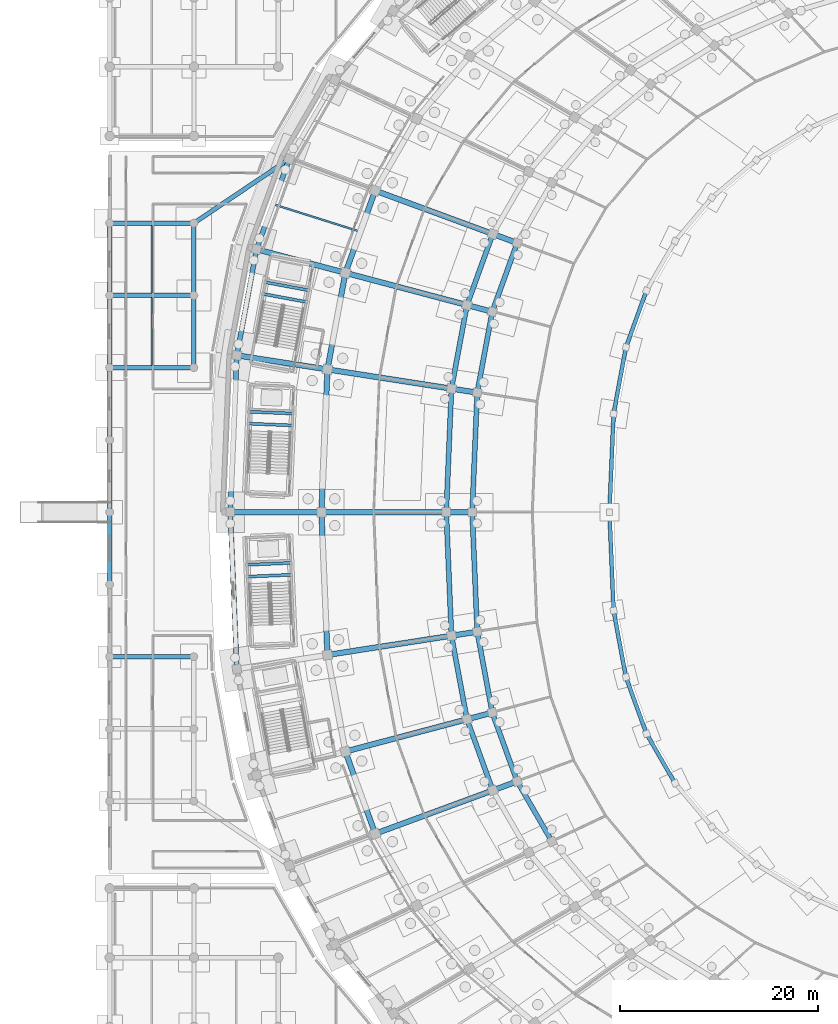
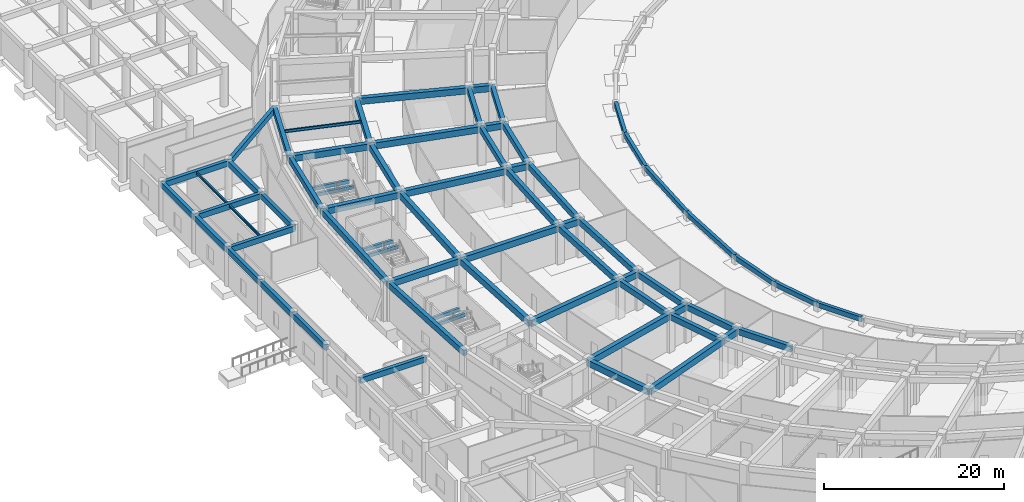
# One storey, part 28 of 88: 67 beams.
"""IFC4 building model written with IfcOpenShell, lengths in metres."""

import ifcopenshell
import ifcopenshell.guid

model = None  # the IFC model being written
_history = None  # IfcOwnerHistory: only IFC2X3 demands one
_inside = {}  # id of a spatial element -> (the spatial element, [elements in it])
_under = {}  # id of a project, library or spatial element -> (it, [spatial elements below it])
_declared = {}  # id of a project -> (the project, [libraries it declares])
_typed = {}  # id of a type object -> (the type object, [elements of that type])
_made_of = {}  # id of a material, layer set ... -> (it, [elements and type objects made of it])


def new_model(schema):
    """Start an empty IFC model of exactly this schema.

    Asked for "IFC4X3", IfcOpenShell would pick the latest addendum, in which some entities
    have other attributes; the version numbers below select the first issue.
    IFC2X3 requires an IfcOwnerHistory on every rooted entity: one is made here for all.
    """
    global model, _history
    if schema == "IFC4X3":
        model = ifcopenshell.file(schema_version=(4, 3, 0, 0))
    else:
        model = ifcopenshell.file(schema=schema)
    _inside.clear()
    _under.clear()
    _declared.clear()
    _typed.clear()
    _made_of.clear()
    _history = None
    if model.schema == "IFC2X3":
        org = make("IfcOrganization", Name="unknown")
        user = make(
            "IfcPersonAndOrganization",
            ThePerson=make("IfcPerson", FamilyName="unknown"),
            TheOrganization=org,
        )
        app = make(
            "IfcApplication",
            ApplicationDeveloper=org,
            Version="unknown",
            ApplicationFullName="unknown",
            ApplicationIdentifier="unknown",
        )
        _history = make(
            "IfcOwnerHistory",
            OwningUser=user,
            OwningApplication=app,
            ChangeAction="ADDED",
            CreationDate=0,
        )
    return model


def make(cls, **values):
    """One entity of the class cls with the attributes given. An attribute that is None is left unset."""
    return model.create_entity(
        cls, **{name: value for name, value in values.items() if value is not None}
    )


def rooted(cls, **values):
    """An entity with a GlobalId (a new one), such as an element, a storey or a relation."""
    return make(cls, GlobalId=ifcopenshell.guid.new(), OwnerHistory=_history, **values)


def si_unit(unit_type, name, prefix=None):
    """IfcSIUnit, for example si_unit("LENGTHUNIT", "METRE", prefix="MILLI")."""
    return make("IfcSIUnit", UnitType=unit_type, Prefix=prefix, Name=name)


def assignment(units):
    """IfcUnitAssignment: the units of a project."""
    return None if units is None else make("IfcUnitAssignment", Units=units)


def point(xyz):
    """IfcCartesianPoint."""
    return None if xyz is None else make("IfcCartesianPoint", Coordinates=xyz)


def direction(xyz):
    """IfcDirection."""
    return None if xyz is None else make("IfcDirection", DirectionRatios=xyz)


def frame(location, z_axis=None, x_axis=None):
    """IfcAxis2Placement3D, a coordinate frame: its origin and axes. An axis left out is left unset."""
    return make(
        "IfcAxis2Placement3D",
        Location=point(location),
        Axis=direction(z_axis),
        RefDirection=direction(x_axis),
    )


def frame_2d(location, x_axis=None):
    """IfcAxis2Placement2D, a coordinate frame in the plane: its origin and x axis."""
    return make(
        "IfcAxis2Placement2D", Location=point(location), RefDirection=direction(x_axis)
    )


def origin():
    """The frame at (0, 0, 0) with its axes left unset."""
    return frame((0.0, 0.0, 0.0))


def origin_2d():
    """The frame at (0, 0) in the plane with its x axis left unset."""
    return frame_2d((0.0, 0.0))


def place(relative_to, where):
    """IfcLocalPlacement: puts the frame where relative to a parent placement (None: the world)."""
    return make(
        "IfcLocalPlacement", PlacementRelTo=relative_to, RelativePlacement=where
    )


def context(
    kind, dimensions, precision=None, world=None, true_north=None, identifier=None
):
    """IfcGeometricRepresentationContext, for example the 3D "Model" context."""
    return make(
        "IfcGeometricRepresentationContext",
        ContextIdentifier=identifier,
        ContextType=kind,
        CoordinateSpaceDimension=dimensions,
        Precision=precision,
        WorldCoordinateSystem=world,
        TrueNorth=true_north,
    )


def subcontext(parent, identifier, kind, view, scale=None):
    """IfcGeometricRepresentationSubContext, for example "Body" below "Model"."""
    return make(
        "IfcGeometricRepresentationSubContext",
        ContextIdentifier=identifier,
        ContextType=kind,
        ParentContext=parent,
        TargetScale=scale,
        TargetView=view,
    )


def project(units=None, contexts=None):
    """IfcProject with its units and contexts."""
    return rooted(
        "IfcProject",
        Name="project",
        RepresentationContexts=contexts,
        UnitsInContext=assignment(units),
    )


def spatial(cls, under=None, at=None, **own):
    """A site, building, storey or space (cls), placed at a placement, below another one or the project."""
    s = rooted(cls, ObjectPlacement=at, **own)
    if under is not None:
        _under.setdefault(under.id(), (under, []))[1].append(s)
    return s


def profile(cls, at=None, kind="AREA", **sizes):
    """A parametric profile (cls). Its sizes go by their IFC names, for example OverallWidth=200.0."""
    return make(cls, ProfileType=kind, Position=at, **sizes)


def rectangle(**sizes):
    """IfcRectangleProfileDef."""
    return profile("IfcRectangleProfileDef", **sizes)


def i_section(**sizes):
    """IfcIShapeProfileDef."""
    return profile("IfcIShapeProfileDef", **sizes)


def extrude(swept, where, along, depth):
    """IfcExtrudedAreaSolid: the profile swept, set in the frame where, extruded along a direction by depth."""
    return make(
        "IfcExtrudedAreaSolid",
        SweptArea=swept,
        Position=where,
        ExtrudedDirection=direction(along),
        Depth=depth,
    )


def shape(context_of_items, identifier, shape_type, items):
    """IfcShapeRepresentation: the items that make up one representation, for example the "Body"."""
    return make(
        "IfcShapeRepresentation",
        ContextOfItems=context_of_items,
        RepresentationIdentifier=identifier,
        RepresentationType=shape_type,
        Items=items,
    )


def material(Name=None, Category=None):
    """IfcMaterial."""
    return make("IfcMaterial", Name=Name, Category=Category)


def material_profile(
    of_material, cross_section, Name=None, Category=None, Priority=None
):
    """IfcMaterialProfile: a cross section and its material."""
    return make(
        "IfcMaterialProfile",
        Name=Name,
        Material=of_material,
        Profile=cross_section,
        Priority=Priority,
        Category=Category,
    )


def profile_set(profiles, Name=None, composite=None):
    """IfcMaterialProfileSet."""
    return make(
        "IfcMaterialProfileSet",
        Name=Name,
        MaterialProfiles=profiles,
        CompositeProfile=composite,
    )


def made_of(thing, what):
    """Note that an element or type object is made of a material, layer set ...; save() writes the relation."""
    if what is not None:
        _made_of.setdefault(what.id(), (what, []))[1].append(thing)
    return thing


def type_object(cls, material=None, **own):
    """A type object (cls), such as IfcWallType, which elements share."""
    return made_of(rooted(cls, **own), material)


def element(
    cls,
    number,
    at=None,
    inside=None,
    cuts=None,
    type_object=None,
    material=None,
    context=None,
    identifier="Body",
    shape_type=None,
    held_by="IfcProductDefinitionShape",
    body=None,
    shapes=None,
    **own,
):
    """One element of the class cls, such as IfcWall. Its Tag is "e" and its number.

    at: its placement. inside: the storey or other place that contains it. cuts: it is an
    opening in that element (IfcRelVoidsElement). A single representation is given by context,
    identifier, shape_type and body (its items); several are given by shapes. held_by: the class
    of the entity that holds the representations. save() writes the other relations.
    """
    e = rooted(cls, Tag="e%d" % number, ObjectPlacement=at, **own)
    if body is not None:
        shapes = [shape(context, identifier, shape_type, body)]
    if shapes is not None:
        e.Representation = make(held_by, Representations=shapes)
    if inside is not None:
        _inside.setdefault(inside.id(), (inside, []))[1].append(e)
    if cuts is not None:
        rooted(
            "IfcRelVoidsElement", RelatingBuildingElement=cuts, RelatedOpeningElement=e
        )
    if type_object is not None:
        _typed.setdefault(type_object.id(), (type_object, []))[1].append(e)
    return made_of(e, material)


def aggregate(whole, parts):
    """IfcRelAggregates: a whole, such as a stair, and the parts it consists of."""
    return rooted("IfcRelAggregates", RelatingObject=whole, RelatedObjects=parts)


def save(model, path):
    """Write the relations noted so far, then the file.

    IfcRelAggregates (storeys below a building ...), IfcRelContainedInSpatialStructure (elements
    in a storey), IfcRelDefinesByType, IfcRelAssociatesMaterial and IfcRelDeclares: one each for
    every whole, place, type object, material and project.
    """
    for whole, parts in _under.values():
        aggregate(whole, parts)
    for where, things in _inside.values():
        rooted(
            "IfcRelContainedInSpatialStructure",
            RelatedElements=things,
            RelatingStructure=where,
        )
    for kind, things in _typed.values():
        rooted("IfcRelDefinesByType", RelatedObjects=things, RelatingType=kind)
    for what, things in _made_of.values():
        rooted("IfcRelAssociatesMaterial", RelatedObjects=things, RelatingMaterial=what)
    for by, libraries in _declared.values():
        rooted("IfcRelDeclares", RelatingContext=by, RelatedDefinitions=libraries)
    model.write(path)


model = new_model("IFC4")

# Units and contexts
model_context = context("Model", 3, precision=1e-05, world=origin(), true_north=direction((0.0, 1.0)))
body_context = subcontext(model_context, "Body", "Model", "MODEL_VIEW")
ifc_project = project(units=[si_unit("LENGTHUNIT", "METRE"), si_unit("AREAUNIT", "SQUARE_METRE"), si_unit("VOLUMEUNIT", "CUBIC_METRE"), si_unit("PLANEANGLEUNIT", "RADIAN"), si_unit("MASSUNIT", "GRAM", prefix="KILO")], contexts=[model_context])

# Site, building, storey
site_placement = place(None, origin())
site = spatial("IfcSite", under=ifc_project, at=site_placement, CompositionType="ELEMENT")
building_placement = place(site_placement, origin())
building = spatial("IfcBuilding", under=site, at=building_placement, Name="Mphavela Belvedere Stadium", CompositionType="ELEMENT")
storey_placement = place(building_placement, origin())
storey = spatial("IfcBuildingStorey", under=building, at=storey_placement, Name="L00", CompositionType="ELEMENT", Elevation=0.0)

# Beams
ifc_material_1 = material(Name="Steel S355", Category="steel")
ifc_material_profile_1 = material_profile(ifc_material_1, i_section(OverallWidth=0.169921875, OverallDepth=0.360107421875, WebThickness=0.008056640625, FlangeThickness=0.0126953125, at=origin_2d()), Name="IPE 360")
ifc_profile_set_1 = profile_set([ifc_material_profile_1], Name="Steel S355")
beam_type_1 = type_object("IfcBeamType", Name="BM-JOIST-IPE360", PredefinedType="JOIST", material=ifc_profile_set_1)
for number, where, z_axis, x_axis, name in (
    (1, (4.25, 101.824951171875, 4.9599609375), (0.0, 1.0, 0.0), (-1.0, 0.0, 0.0), "West Planted Eaves Peristyle Colonnade secondary joist L00 1-8"),
    (2, (4.25, 109.125, 4.9599609375), (0.0, 1.0, 0.0), (-1.0, 0.0, 0.0), "West Planted Eaves Peristyle Colonnade secondary joist L00 1-9"),
):
    element("IfcBeam", number, at=place(storey_placement, frame(where, z_axis=z_axis, x_axis=x_axis)), inside=storey, type_object=beam_type_1, Name=name, PredefinedType="JOIST", context=body_context, shape_type="SweptSolid", body=[
        extrude(i_section(OverallWidth=0.169921875, OverallDepth=0.360107421875, WebThickness=0.008056640625, FlangeThickness=0.0126953125, at=origin_2d()), origin(), (0.0, 0.0, 1.0), 6.85009765625),
    ])
ifc_material_2 = material(Name="Steel S355", Category="steel")
ifc_material_profile_2 = material_profile(ifc_material_2, i_section(OverallWidth=0.179931640625, OverallDepth=0.39990234375, WebThickness=0.008544921875, FlangeThickness=0.013427734375, at=origin_2d()), Name="IPE 400")
ifc_profile_set_2 = profile_set([ifc_material_profile_2], Name="Steel S355")
beam_type_2 = type_object("IfcBeamType", Name="BM-JOIST-IPE400", PredefinedType="JOIST", material=ifc_profile_set_2)
beam_1_placement = place(storey_placement, frame((25.318359375, 115.3330078125, 4.949951171875), z_axis=(-0.953544002003, 0.301253773826, 0.0), x_axis=(-0.301253773826, -0.953544002003, 0.0)))
element("IfcBeam", 3, at=beam_1_placement, inside=storey, type_object=beam_type_2, Name="Concourse floor joist L00-22", PredefinedType="JOIST", context=body_context, shape_type="SweptSolid", body=[
    extrude(i_section(OverallWidth=0.179931640625, OverallDepth=0.39990234375, WebThickness=0.008544921875, FlangeThickness=0.013427734375, at=origin_2d()), origin(), (0.0, 0.0, 1.0), 9.259033203125),
])
ifc_material_3 = material(Name="Concrete C40/50", Category="concrete")
ifc_material_profile_3 = material_profile(ifc_material_3, rectangle(XDim=0.300048828125, YDim=0.449951171875, at=origin_2d()), Name="RC 300x450")
ifc_profile_set_3 = profile_set([ifc_material_profile_3], Name="Concrete C40/50")
beam_type_3 = type_object("IfcBeamType", Name="BM-RC300x450", PredefinedType="BEAM", material=ifc_profile_set_3)
for number, where, z_axis, x_axis, name in (
    (4, (19.88623046875, 108.2353515625, 2.27490234375), (-0.9831891563, 0.182589931088, 0.0), (-0.182589931088, -0.9831891563, 0.0), "Core C06 landing trimmer beam L00-1"),
    (5, (20.105224609375, 109.415283203125, 2.27490234375), (-0.983198960132, 0.182537132646, 0.0), (-0.182537132646, -0.983198960132, 0.0), "Core C06 landing trimmer beam L00-2"),
    (6, (18.47021484375, 95.76318359375, 2.27490234375), (-0.999122153252, 0.04189179968, 0.0), (-0.04189179968, -0.999122153252, 0.0), "Core C07 landing trimmer beam L00-1"),
):
    element("IfcBeam", number, at=place(storey_placement, frame(where, z_axis=z_axis, x_axis=x_axis)), inside=storey, type_object=beam_type_3, Name=name, PredefinedType="BEAM", context=body_context, shape_type="SweptSolid", body=[
        extrude(rectangle(XDim=0.300048828125, YDim=0.449951171875, at=origin_2d()), origin(), (0.0, 0.0, 1.0), 4.469970703125),
    ])
beam_2_placement = place(storey_placement, frame((18.5205078125, 96.96240234375, 2.27490234375), z_axis=(-0.999124533389, 0.041834994675, 0.0), x_axis=(-0.041834994675, -0.999124533389, 0.0)))
element("IfcBeam", 7, at=beam_2_placement, inside=storey, type_object=beam_type_3, Name="Core C07 landing trimmer beam L00-2", PredefinedType="BEAM", context=body_context, shape_type="SweptSolid", body=[
    extrude(rectangle(XDim=0.300048828125, YDim=0.449951171875, at=origin_2d()), origin(), (0.0, 0.0, 1.0), 4.47021484375),
])
for number, where, z_axis, x_axis, name in (
    (8, (18.367919921875, 80.674560546875, 2.27490234375), (-0.999122153252, -0.04189179968, 0.0), (0.04189179968, -0.999122153252, 0.0), "Core C08 landing trimmer beam L00-1"),
    (9, (18.317626953125, 81.87353515625, 2.27490234375), (-0.999122153252, -0.04189179968, 0.0), (0.04189179968, -0.999122153252, 0.0), "Core C08 landing trimmer beam L00-2"),
):
    element("IfcBeam", number, at=place(storey_placement, frame(where, z_axis=z_axis, x_axis=x_axis)), inside=storey, type_object=beam_type_3, Name=name, PredefinedType="BEAM", context=body_context, shape_type="SweptSolid", body=[
        extrude(rectangle(XDim=0.300048828125, YDim=0.449951171875, at=origin_2d()), origin(), (0.0, 0.0, 1.0), 4.469970703125),
    ])
ifc_material_4 = material(Name="Concrete C40/50", Category="concrete")
ifc_material_profile_4 = material_profile(ifc_material_4, rectangle(XDim=0.39990234375, YDim=0.64990234375, at=origin_2d()), Name="RC 400x650")
ifc_profile_set_4 = profile_set([ifc_material_profile_4], Name="Concrete C40/50")
beam_type_4 = type_object("IfcBeamType", Name="BM-RC400x650", PredefinedType="BEAM", material=ifc_profile_set_4)
beam_3_placement = place(storey_placement, frame((54.236572265625, 109.385498046875, 0.824951171875), z_axis=(-0.341053704054, -0.940043813315, 0.0), x_axis=(0.940043813315, -0.341053704054, 0.0)))
element("IfcBeam", 10, at=beam_3_placement, inside=storey, type_object=beam_type_4, Name="Lower tier plinth ring beam 22", PredefinedType="BEAM", context=body_context, shape_type="SweptSolid", body=[
    extrude(rectangle(XDim=0.39990234375, YDim=0.64990234375, at=origin_2d()), origin(), (0.0, 0.0, 1.0), 6.086181640625),
])
beam_4_placement = place(storey_placement, frame((52.160888671875, 103.664306640625, 0.824951171875), z_axis=(-0.182635082941, -0.983180769991, 0.0), x_axis=(0.983180769991, -0.182635082941, 0.0)))
element("IfcBeam", 11, at=beam_4_placement, inside=storey, type_object=beam_type_4, Name="Lower tier plinth ring beam 23", PredefinedType="BEAM", context=body_context, shape_type="SweptSolid", body=[
    extrude(rectangle(XDim=0.39990234375, YDim=0.64990234375, at=origin_2d()), origin(), (0.0, 0.0, 1.0), 6.8388671875),
])
for number, where, z_axis, x_axis, name in (
    (12, (50.911865234375, 96.9404296875, 0.824951171875), (-0.041887754326, -0.99912232286, 0.0), (0.99912232286, -0.041887754326, 0.0), "Lower tier plinth ring beam 24"),
    (13, (50.4951171875, 87.0, 0.824951171875), (0.041887754326, -0.99912232286, 0.0), (0.99912232286, 0.041887754326, 0.0), "Lower tier plinth ring beam 25"),
):
    element("IfcBeam", number, at=place(storey_placement, frame(where, z_axis=z_axis, x_axis=x_axis)), inside=storey, type_object=beam_type_4, Name=name, PredefinedType="BEAM", context=body_context, shape_type="SweptSolid", body=[
        extrude(rectangle(XDim=0.39990234375, YDim=0.64990234375, at=origin_2d()), origin(), (0.0, 0.0, 1.0), 9.94921875),
    ])
beam_5_placement = place(storey_placement, frame((50.911865234375, 77.0595703125, 0.824951171875), z_axis=(0.182635082941, -0.983180769991, 0.0), x_axis=(0.983180769991, 0.182635082941, 0.0)))
element("IfcBeam", 14, at=beam_5_placement, inside=storey, type_object=beam_type_4, Name="Lower tier plinth ring beam 26", PredefinedType="BEAM", context=body_context, shape_type="SweptSolid", body=[
    extrude(rectangle(XDim=0.39990234375, YDim=0.64990234375, at=origin_2d()), origin(), (0.0, 0.0, 1.0), 6.8388671875),
])
beam_6_placement = place(storey_placement, frame((52.160888671875, 70.335693359375, 0.824951171875), z_axis=(0.341053704054, -0.940043813315, 0.0), x_axis=(0.940043813315, 0.341053704054, 0.0)))
element("IfcBeam", 15, at=beam_6_placement, inside=storey, type_object=beam_type_4, Name="Lower tier plinth ring beam 27", PredefinedType="BEAM", context=body_context, shape_type="SweptSolid", body=[
    extrude(rectangle(XDim=0.39990234375, YDim=0.64990234375, at=origin_2d()), origin(), (0.0, 0.0, 1.0), 6.086181640625),
])
beam_7_placement = place(storey_placement, frame((54.236572265625, 64.614501953125, 0.824951171875), z_axis=(0.500538549493, -0.86571424874, 0.0), x_axis=(0.86571424874, 0.500538549493, 0.0)))
element("IfcBeam", 16, at=beam_7_placement, inside=storey, type_object=beam_type_4, Name="Lower tier plinth ring beam 28", PredefinedType="BEAM", context=body_context, shape_type="SweptSolid", body=[
    extrude(rectangle(XDim=0.39990234375, YDim=0.64990234375, at=origin_2d()), origin(), (0.0, 0.0, 1.0), 5.7822265625),
])
ifc_material_5 = material(Name="Concrete C40/50", Category="concrete")
ifc_material_profile_5 = material_profile(ifc_material_5, rectangle(XDim=0.449951171875, YDim=0.75, at=origin_2d()), Name="RC 450x750")
ifc_profile_set_5 = profile_set([ifc_material_profile_5], Name="Concrete C40/50")
beam_type_5 = type_object("IfcBeamType", Name="BM-RC450x750", PredefinedType="BEAM", material=ifc_profile_set_5)
beam_8_placement = place(storey_placement, frame((0.0, 72.39990234375, 4.764892578125), z_axis=(1.0, 0.0, 0.0), x_axis=(0.0, 1.0, 0.0)))
element("IfcBeam", 17, at=beam_8_placement, inside=storey, type_object=beam_type_5, Name="West Planted Eaves Peristyle Colonnade entablature beam X L00 1-4", PredefinedType="BEAM", context=body_context, shape_type="SweptSolid", body=[
    extrude(rectangle(XDim=0.449951171875, YDim=0.75, at=origin_2d()), origin(), (0.0, 0.0, 1.0), 8.5),
])
for number, where, z_axis, x_axis, name in (
    (18, (0.0, 79.699951171875, 4.764892578125), (0.0, 1.0, 0.0), (-1.0, 0.0, 0.0), "West Planted Eaves Peristyle Colonnade entablature beam Y L00 1-5"),
    (19, (0.0, 87.0, 4.764892578125), (0.0, 1.0, 0.0), (-1.0, 0.0, 0.0), "West Planted Eaves Peristyle Colonnade entablature beam Y L00 1-6"),
    (20, (0.0, 94.300048828125, 4.764892578125), (0.0, 1.0, 0.0), (-1.0, 0.0, 0.0), "West Planted Eaves Peristyle Colonnade entablature beam Y L00 1-7"),
):
    element("IfcBeam", number, at=place(storey_placement, frame(where, z_axis=z_axis, x_axis=x_axis)), inside=storey, type_object=beam_type_5, Name=name, PredefinedType="BEAM", context=body_context, shape_type="SweptSolid", body=[
        extrude(rectangle(XDim=0.449951171875, YDim=0.75, at=origin_2d()), origin(), (0.0, 0.0, 1.0), 7.300048828125),
    ])
beam_9_placement = place(storey_placement, frame((0.0, 101.60009765625, 4.764892578125), z_axis=(1.0, 0.0, 0.0), x_axis=(0.0, 1.0, 0.0)))
element("IfcBeam", 21, at=beam_9_placement, inside=storey, type_object=beam_type_5, Name="West Planted Eaves Peristyle Colonnade entablature beam X L00 1-8", PredefinedType="BEAM", context=body_context, shape_type="SweptSolid", body=[
    extrude(rectangle(XDim=0.449951171875, YDim=0.75, at=origin_2d()), origin(), (0.0, 0.0, 1.0), 8.5),
])
beam_10_placement = place(storey_placement, frame((0.0, 101.60009765625, 4.764892578125), z_axis=(0.0, 1.0, 0.0), x_axis=(-1.0, 0.0, 0.0)))
element("IfcBeam", 22, at=beam_10_placement, inside=storey, type_object=beam_type_5, Name="West Planted Eaves Peristyle Colonnade entablature beam Y L00 1-8", PredefinedType="BEAM", context=body_context, shape_type="SweptSolid", body=[
    extrude(rectangle(XDim=0.449951171875, YDim=0.75, at=origin_2d()), origin(), (0.0, 0.0, 1.0), 7.2998046875),
])
beam_11_placement = place(storey_placement, frame((0.0, 108.89990234375, 4.764892578125), z_axis=(1.0, 0.0, 0.0), x_axis=(0.0, 1.0, 0.0)))
element("IfcBeam", 23, at=beam_11_placement, inside=storey, type_object=beam_type_5, Name="West Planted Eaves Peristyle Colonnade entablature beam X L00 1-9", PredefinedType="BEAM", context=body_context, shape_type="SweptSolid", body=[
    extrude(rectangle(XDim=0.449951171875, YDim=0.75, at=origin_2d()), origin(), (0.0, 0.0, 1.0), 8.5),
])
beam_12_placement = place(storey_placement, frame((0.0, 108.89990234375, 4.764892578125), z_axis=(0.0, 1.0, 0.0), x_axis=(-1.0, 0.0, 0.0)))
element("IfcBeam", 24, at=beam_12_placement, inside=storey, type_object=beam_type_5, Name="West Planted Eaves Peristyle Colonnade entablature beam Y L00 1-9", PredefinedType="BEAM", context=body_context, shape_type="SweptSolid", body=[
    extrude(rectangle(XDim=0.449951171875, YDim=0.75, at=origin_2d()), origin(), (0.0, 0.0, 1.0), 7.300048828125),
])
beam_13_placement = place(storey_placement, frame((0.0, 116.199951171875, 4.764892578125), z_axis=(1.0, 0.0, 0.0), x_axis=(0.0, 1.0, 0.0)))
element("IfcBeam", 25, at=beam_13_placement, inside=storey, type_object=beam_type_5, Name="West Planted Eaves Peristyle Colonnade entablature beam X L00 1-10", PredefinedType="BEAM", context=body_context, shape_type="SweptSolid", body=[
    extrude(rectangle(XDim=0.449951171875, YDim=0.75, at=origin_2d()), origin(), (0.0, 0.0, 1.0), 8.5),
])
beam_14_placement = place(storey_placement, frame((8.5, 101.60009765625, 4.764892578125), z_axis=(0.0, 1.0, 0.0), x_axis=(-1.0, 0.0, 0.0)))
element("IfcBeam", 26, at=beam_14_placement, inside=storey, type_object=beam_type_5, Name="West Planted Eaves Peristyle Colonnade entablature beam Y L00 2-8", PredefinedType="BEAM", context=body_context, shape_type="SweptSolid", body=[
    extrude(rectangle(XDim=0.449951171875, YDim=0.75, at=origin_2d()), origin(), (0.0, 0.0, 1.0), 7.2998046875),
])
beam_15_placement = place(storey_placement, frame((8.5, 108.89990234375, 4.764892578125), z_axis=(0.0, 1.0, 0.0), x_axis=(-1.0, 0.0, 0.0)))
element("IfcBeam", 27, at=beam_15_placement, inside=storey, type_object=beam_type_5, Name="West Planted Eaves Peristyle Colonnade entablature beam Y L00 2-9", PredefinedType="BEAM", context=body_context, shape_type="SweptSolid", body=[
    extrude(rectangle(XDim=0.449951171875, YDim=0.75, at=origin_2d()), origin(), (0.0, 0.0, 1.0), 7.300048828125),
])
beam_16_placement = place(storey_placement, frame((8.5, 116.199951171875, 4.764892578125), z_axis=(0.82993028647, 0.557867116436, 0.0), x_axis=(-0.557867116436, 0.82993028647, 0.0)))
element("IfcBeam", 28, at=beam_16_placement, inside=storey, type_object=beam_type_5, Name="West Planted Eaves Peristyle Colonnade bowl link girder L00-6", PredefinedType="BEAM", context=body_context, shape_type="SweptSolid", body=[
    extrude(rectangle(XDim=0.449951171875, YDim=0.75, at=origin_2d()), origin(), (0.0, 0.0, 1.0), 11.6201171875),
])
ifc_material_6 = material(Name="Concrete C40/50", Category="concrete")
ifc_material_profile_6 = material_profile(ifc_material_6, rectangle(XDim=0.5, YDim=0.800048828125, at=origin_2d()), Name="RC 500x800")
ifc_profile_set_6 = profile_set([ifc_material_profile_6], Name="Concrete C40/50")
beam_type_6 = type_object("IfcBeamType", Name="BM-RC500x800", PredefinedType="BEAM", material=ifc_profile_set_6)
beam_17_placement = place(storey_placement, frame((41.170166015625, 114.19921875, 4.75), z_axis=(-0.341037858277, -0.940049562109, 0.0), x_axis=(0.940049562109, -0.341037858277, 0.0)))
element("IfcBeam", 29, at=beam_17_placement, inside=storey, type_object=beam_type_6, Name="Circumferential girder L00 R1-22", PredefinedType="BEAM", context=body_context, shape_type="SweptSolid", body=[
    extrude(rectangle(XDim=0.5, YDim=0.800048828125, at=origin_2d()), origin(), (0.0, 0.0, 1.0), 7.39501953125),
])
beam_18_placement = place(storey_placement, frame((38.702880859375, 115.108154296875, 4.75), z_axis=(-0.341037560831, -0.940049670019, 0.0), x_axis=(0.940049670019, -0.341037560831, 0.0)))
element("IfcBeam", 30, at=beam_18_placement, inside=storey, type_object=beam_type_6, Name="Circumferential girder L00 R2-22", PredefinedType="BEAM", context=body_context, shape_type="SweptSolid", body=[
    extrude(rectangle(XDim=0.5, YDim=0.800048828125, at=origin_2d()), origin(), (0.0, 0.0, 1.0), 7.64208984375),
])
beam_19_placement = place(storey_placement, frame((38.648193359375, 107.24755859375, 4.75), z_axis=(-0.182638448973, -0.983180144712, 0.0), x_axis=(0.983180144712, -0.182638448973, 0.0)))
element("IfcBeam", 31, at=beam_19_placement, inside=storey, type_object=beam_type_6, Name="Circumferential girder L00 R1-23", PredefinedType="BEAM", context=body_context, shape_type="SweptSolid", body=[
    extrude(rectangle(XDim=0.5, YDim=0.800048828125, at=origin_2d()), origin(), (0.0, 0.0, 1.0), 8.30908203125),
])
beam_20_placement = place(storey_placement, frame((36.0966796875, 107.92431640625, 4.75), z_axis=(-0.182614573179, -0.983184579651, 0.0), x_axis=(0.983184579651, -0.182614573179, 0.0)))
element("IfcBeam", 32, at=beam_20_placement, inside=storey, type_object=beam_type_6, Name="Circumferential girder L00 R2-23", PredefinedType="BEAM", context=body_context, shape_type="SweptSolid", body=[
    extrude(rectangle(XDim=0.5, YDim=0.800048828125, at=origin_2d()), origin(), (0.0, 0.0, 1.0), 8.5869140625),
])
beam_21_placement = place(storey_placement, frame((37.130615234375, 99.078125, 4.75), z_axis=(-0.041906072647, -0.999121554705, 0.0), x_axis=(0.999121554705, -0.041906072647, 0.0)))
element("IfcBeam", 33, at=beam_21_placement, inside=storey, type_object=beam_type_6, Name="Circumferential girder L00 R1-24", PredefinedType="BEAM", context=body_context, shape_type="SweptSolid", body=[
    extrude(rectangle(XDim=0.5, YDim=0.800048828125, at=origin_2d()), origin(), (0.0, 0.0, 1.0), 12.088623046875),
])
beam_22_placement = place(storey_placement, frame((34.528564453125, 99.481689453125, 4.75), z_axis=(-0.04191911123, -0.999121007743, 0.0), x_axis=(0.999121007743, -0.04191911123, 0.0)))
element("IfcBeam", 34, at=beam_22_placement, inside=storey, type_object=beam_type_6, Name="Circumferential girder L00 R2-24", PredefinedType="BEAM", context=body_context, shape_type="SweptSolid", body=[
    extrude(rectangle(XDim=0.5, YDim=0.800048828125, at=origin_2d()), origin(), (0.0, 0.0, 1.0), 12.49267578125),
])
beam_23_placement = place(storey_placement, frame((36.6240234375, 87.0, 4.75), z_axis=(0.041906072647, -0.999121554705, 0.0), x_axis=(0.999121554705, 0.041906072647, 0.0)))
element("IfcBeam", 35, at=beam_23_placement, inside=storey, type_object=beam_type_6, Name="Circumferential girder L00 R1-25", PredefinedType="BEAM", context=body_context, shape_type="SweptSolid", body=[
    extrude(rectangle(XDim=0.5, YDim=0.800048828125, at=origin_2d()), origin(), (0.0, 0.0, 1.0), 12.088623046875),
])
beam_24_placement = place(storey_placement, frame((34.0048828125, 87.0, 4.75), z_axis=(0.04191911123, -0.999121007743, 0.0), x_axis=(0.999121007743, 0.04191911123, 0.0)))
element("IfcBeam", 36, at=beam_24_placement, inside=storey, type_object=beam_type_6, Name="Circumferential girder L00 R2-25", PredefinedType="BEAM", context=body_context, shape_type="SweptSolid", body=[
    extrude(rectangle(XDim=0.5, YDim=0.800048828125, at=origin_2d()), origin(), (0.0, 0.0, 1.0), 12.49267578125),
])
beam_25_placement = place(storey_placement, frame((37.130615234375, 74.921875, 4.75), z_axis=(0.182638448973, -0.983180144712, 0.0), x_axis=(0.983180144712, 0.182638448973, 0.0)))
element("IfcBeam", 37, at=beam_25_placement, inside=storey, type_object=beam_type_6, Name="Circumferential girder L00 R1-26", PredefinedType="BEAM", context=body_context, shape_type="SweptSolid", body=[
    extrude(rectangle(XDim=0.5, YDim=0.800048828125, at=origin_2d()), origin(), (0.0, 0.0, 1.0), 8.30908203125),
])
beam_26_placement = place(storey_placement, frame((34.528564453125, 74.518310546875, 4.75), z_axis=(0.182614573179, -0.983184579651, 0.0), x_axis=(0.983184579651, 0.182614573179, 0.0)))
element("IfcBeam", 38, at=beam_26_placement, inside=storey, type_object=beam_type_6, Name="Circumferential girder L00 R2-26", PredefinedType="BEAM", context=body_context, shape_type="SweptSolid", body=[
    extrude(rectangle(XDim=0.5, YDim=0.800048828125, at=origin_2d()), origin(), (0.0, 0.0, 1.0), 8.5869140625),
])
beam_27_placement = place(storey_placement, frame((38.648193359375, 66.75244140625, 4.75), z_axis=(0.341037858277, -0.940049562109, 0.0), x_axis=(0.940049562109, 0.341037858277, 0.0)))
element("IfcBeam", 39, at=beam_27_placement, inside=storey, type_object=beam_type_6, Name="Circumferential girder L00 R1-27", PredefinedType="BEAM", context=body_context, shape_type="SweptSolid", body=[
    extrude(rectangle(XDim=0.5, YDim=0.800048828125, at=origin_2d()), origin(), (0.0, 0.0, 1.0), 7.39501953125),
])
beam_28_placement = place(storey_placement, frame((36.0966796875, 66.07568359375, 4.75), z_axis=(0.341037560831, -0.940049670019, 0.0), x_axis=(0.940049670019, 0.341037560831, 0.0)))
element("IfcBeam", 40, at=beam_28_placement, inside=storey, type_object=beam_type_6, Name="Circumferential girder L00 R2-27", PredefinedType="BEAM", context=body_context, shape_type="SweptSolid", body=[
    extrude(rectangle(XDim=0.5, YDim=0.800048828125, at=origin_2d()), origin(), (0.0, 0.0, 1.0), 7.64208984375),
])
beam_29_placement = place(storey_placement, frame((41.170166015625, 59.80078125, 4.75), z_axis=(0.500559513075, -0.86570212768, 0.0), x_axis=(0.86570212768, 0.500559513075, 0.0)))
element("IfcBeam", 41, at=beam_29_placement, inside=storey, type_object=beam_type_6, Name="Circumferential girder L00 R1-28", PredefinedType="BEAM", context=body_context, shape_type="SweptSolid", body=[
    extrude(rectangle(XDim=0.5, YDim=0.800048828125, at=origin_2d()), origin(), (0.0, 0.0, 1.0), 7.02587890625),
])
ifc_material_7 = material(Name="Concrete C40/50", Category="concrete")
ifc_material_profile_7 = material_profile(ifc_material_7, rectangle(XDim=0.550048828125, YDim=0.85009765625, at=origin_2d()), Name="RC 550x850")
ifc_profile_set_7 = profile_set([ifc_material_profile_7], Name="Concrete C40/50")
beam_type_7 = type_object("IfcBeamType", Name="BM-RC550x850", PredefinedType="BEAM", material=ifc_profile_set_7)
beam_30_placement = place(storey_placement, frame((26.824462890625, 119.484375, 4.72509765625), z_axis=(-0.341030504348, -0.940052229987, 0.0), x_axis=(0.940052229987, -0.341030504348, 0.0)))
element("IfcBeam", 42, at=beam_30_placement, inside=storey, type_object=beam_type_7, Name="Circumferential girder L00 R3-22", PredefinedType="BEAM", context=body_context, shape_type="SweptSolid", body=[
    extrude(rectangle(XDim=0.550048828125, YDim=0.85009765625, at=origin_2d()), origin(), (0.0, 0.0, 1.0), 8.83203125),
])
beam_31_placement = place(storey_placement, frame((41.170166015625, 114.19921875, 4.72509765625), z_axis=(-0.938351042866, 0.345683844507, 0.0), x_axis=(-0.345683844507, -0.938351042866, 0.0)))
element("IfcBeam", 43, at=beam_31_placement, inside=storey, type_object=beam_type_7, Name="Radial concourse girder L00 R1R2-22", PredefinedType="BEAM", context=body_context, shape_type="SweptSolid", body=[
    extrude(rectangle(XDim=0.550048828125, YDim=0.85009765625, at=origin_2d()), origin(), (0.0, 0.0, 1.0), 2.62939453125),
])
beam_32_placement = place(storey_placement, frame((38.702880859375, 115.108154296875, 4.72509765625), z_axis=(-0.938344104636, 0.345702677593, 0.0), x_axis=(-0.345702677593, -0.938344104636, 0.0)))
element("IfcBeam", 44, at=beam_32_placement, inside=storey, type_object=beam_type_7, Name="Radial concourse girder L00 R2R3-22", PredefinedType="BEAM", context=body_context, shape_type="SweptSolid", body=[
    extrude(rectangle(XDim=0.550048828125, YDim=0.85009765625, at=origin_2d()), origin(), (0.0, 0.0, 1.0), 12.658935546875),
])
beam_33_placement = place(storey_placement, frame((23.8125, 111.181884765625, 4.72509765625), z_axis=(-0.182638056683, -0.983180217585, 0.0), x_axis=(0.983180217585, -0.182638056683, 0.0)))
element("IfcBeam", 45, at=beam_33_placement, inside=storey, type_object=beam_type_7, Name="Circumferential girder L00 R3-23", PredefinedType="BEAM", context=body_context, shape_type="SweptSolid", body=[
    extrude(rectangle(XDim=0.550048828125, YDim=0.85009765625, at=origin_2d()), origin(), (0.0, 0.0, 1.0), 9.924072265625),
])
beam_34_placement = place(storey_placement, frame((38.648193359375, 107.24755859375, 4.72509765625), z_axis=(-0.966577929986, 0.25637298076, 0.0), x_axis=(-0.25637298076, -0.966577929986, 0.0)))
element("IfcBeam", 46, at=beam_34_placement, inside=storey, type_object=beam_type_7, Name="Radial concourse girder L00 R1R2-23", PredefinedType="BEAM", context=body_context, shape_type="SweptSolid", body=[
    extrude(rectangle(XDim=0.550048828125, YDim=0.85009765625, at=origin_2d()), origin(), (0.0, 0.0, 1.0), 2.6396484375),
])
beam_35_placement = place(storey_placement, frame((36.0966796875, 107.92431640625, 4.72509765625), z_axis=(-0.966590800726, 0.256324450554, 0.0), x_axis=(-0.256324450554, -0.966590800726, 0.0)))
element("IfcBeam", 47, at=beam_35_placement, inside=storey, type_object=beam_type_7, Name="Radial concourse girder L00 R2R3-23", PredefinedType="BEAM", context=body_context, shape_type="SweptSolid", body=[
    extrude(rectangle(XDim=0.550048828125, YDim=0.85009765625, at=origin_2d()), origin(), (0.0, 0.0, 1.0), 12.708740234375),
])
beam_36_placement = place(storey_placement, frame((23.8125, 111.181884765625, 4.72509765625), z_axis=(-0.966589609073, 0.256328944196, 0.0), x_axis=(-0.256328944196, -0.966589609073, 0.0)))
element("IfcBeam", 48, at=beam_36_placement, inside=storey, type_object=beam_type_7, Name="Radial concourse girder L00 R3R4-23", PredefinedType="BEAM", context=body_context, shape_type="SweptSolid", body=[
    extrude(rectangle(XDim=0.550048828125, YDim=0.85009765625, at=origin_2d()), origin(), (0.0, 0.0, 1.0), 9.287353515625),
])
beam_37_placement = place(storey_placement, frame((22.0, 101.4248046875, 4.72509765625), z_axis=(-0.041903450766, -0.99912166467, 0.0), x_axis=(0.99912166467, -0.041903450766, 0.0)))
element("IfcBeam", 49, at=beam_37_placement, inside=storey, type_object=beam_type_7, Name="Circumferential girder L00 R3-24", PredefinedType="BEAM", context=body_context, shape_type="SweptSolid", body=[
    extrude(rectangle(XDim=0.550048828125, YDim=0.85009765625, at=origin_2d()), origin(), (0.0, 0.0, 1.0), 14.4375),
])
beam_38_placement = place(storey_placement, frame((37.130615234375, 99.078125, 4.72509765625), z_axis=(-0.988185527241, 0.153262401626, 0.0), x_axis=(-0.153262401626, -0.988185527241, 0.0)))
element("IfcBeam", 50, at=beam_38_placement, inside=storey, type_object=beam_type_7, Name="Radial concourse girder L00 R1R2-24", PredefinedType="BEAM", context=body_context, shape_type="SweptSolid", body=[
    extrude(rectangle(XDim=0.550048828125, YDim=0.85009765625, at=origin_2d()), origin(), (0.0, 0.0, 1.0), 2.633056640625),
])
beam_39_placement = place(storey_placement, frame((34.528564453125, 99.481689453125, 4.72509765625), z_axis=(-0.988185521494, 0.153262438677, 0.0), x_axis=(-0.153262438677, -0.988185521494, 0.0)))
element("IfcBeam", 51, at=beam_39_placement, inside=storey, type_object=beam_type_7, Name="Radial concourse girder L00 R2R3-24", PredefinedType="BEAM", context=body_context, shape_type="SweptSolid", body=[
    extrude(rectangle(XDim=0.550048828125, YDim=0.85009765625, at=origin_2d()), origin(), (0.0, 0.0, 1.0), 12.678466796875),
])
beam_40_placement = place(storey_placement, frame((22.0, 101.4248046875, 4.72509765625), z_axis=(-0.988182369303, 0.153282761586, 0.0), x_axis=(-0.153282761586, -0.988182369303, 0.0)))
element("IfcBeam", 52, at=beam_40_placement, inside=storey, type_object=beam_type_7, Name="Radial concourse girder L00 R3R4-24", PredefinedType="BEAM", context=body_context, shape_type="SweptSolid", body=[
    extrude(rectangle(XDim=0.550048828125, YDim=0.85009765625, at=origin_2d()), origin(), (0.0, 0.0, 1.0), 9.264892578125),
])
beam_41_placement = place(storey_placement, frame((21.39501953125, 87.0, 4.72509765625), z_axis=(0.041903450766, -0.99912166467, 0.0), x_axis=(0.99912166467, 0.041903450766, 0.0)))
element("IfcBeam", 53, at=beam_41_placement, inside=storey, type_object=beam_type_7, Name="Circumferential girder L00 R3-25", PredefinedType="BEAM", context=body_context, shape_type="SweptSolid", body=[
    extrude(rectangle(XDim=0.550048828125, YDim=0.85009765625, at=origin_2d()), origin(), (0.0, 0.0, 1.0), 14.4375),
])
beam_42_placement = place(storey_placement, frame((36.6240234375, 87.0, 4.72509765625), z_axis=(-1.0, 0.0, 0.0), x_axis=(0.0, -1.0, 0.0)))
element("IfcBeam", 54, at=beam_42_placement, inside=storey, type_object=beam_type_7, Name="Radial concourse girder L00 R1R2-25", PredefinedType="BEAM", context=body_context, shape_type="SweptSolid", body=[
    extrude(rectangle(XDim=0.550048828125, YDim=0.85009765625, at=origin_2d()), origin(), (0.0, 0.0, 1.0), 2.619140625),
])
beam_43_placement = place(storey_placement, frame((34.0048828125, 87.0, 4.72509765625), z_axis=(-1.0, 0.0, 0.0), x_axis=(0.0, -1.0, 0.0)))
element("IfcBeam", 55, at=beam_43_placement, inside=storey, type_object=beam_type_7, Name="Radial concourse girder L00 R2R3-25", PredefinedType="BEAM", context=body_context, shape_type="SweptSolid", body=[
    extrude(rectangle(XDim=0.550048828125, YDim=0.85009765625, at=origin_2d()), origin(), (0.0, 0.0, 1.0), 12.60986328125),
])
beam_44_placement = place(storey_placement, frame((21.39501953125, 87.0, 4.72509765625), z_axis=(-1.0, 0.0, 0.0), x_axis=(0.0, -1.0, 0.0)))
element("IfcBeam", 56, at=beam_44_placement, inside=storey, type_object=beam_type_7, Name="Radial concourse girder L00 R3R4-25", PredefinedType="BEAM", context=body_context, shape_type="SweptSolid", body=[
    extrude(rectangle(XDim=0.550048828125, YDim=0.85009765625, at=origin_2d()), origin(), (0.0, 0.0, 1.0), 9.215087890625),
])
beam_45_placement = place(storey_placement, frame((37.130615234375, 74.921875, 4.72509765625), z_axis=(-0.988185527241, -0.153262401626, 0.0), x_axis=(0.153262401626, -0.988185527241, 0.0)))
element("IfcBeam", 57, at=beam_45_placement, inside=storey, type_object=beam_type_7, Name="Radial concourse girder L00 R1R2-26", PredefinedType="BEAM", context=body_context, shape_type="SweptSolid", body=[
    extrude(rectangle(XDim=0.550048828125, YDim=0.85009765625, at=origin_2d()), origin(), (0.0, 0.0, 1.0), 2.633056640625),
])
beam_46_placement = place(storey_placement, frame((34.528564453125, 74.518310546875, 4.72509765625), z_axis=(-0.988185521494, -0.153262438677, 0.0), x_axis=(0.153262438677, -0.988185521494, 0.0)))
element("IfcBeam", 58, at=beam_46_placement, inside=storey, type_object=beam_type_7, Name="Radial concourse girder L00 R2R3-26", PredefinedType="BEAM", context=body_context, shape_type="SweptSolid", body=[
    extrude(rectangle(XDim=0.550048828125, YDim=0.85009765625, at=origin_2d()), origin(), (0.0, 0.0, 1.0), 12.678466796875),
])
beam_47_placement = place(storey_placement, frame((23.8125, 62.818115234375, 4.72509765625), z_axis=(0.341030504348, -0.940052229987, 0.0), x_axis=(0.940052229987, 0.341030504348, 0.0)))
element("IfcBeam", 59, at=beam_47_placement, inside=storey, type_object=beam_type_7, Name="Circumferential girder L00 R3-27", PredefinedType="BEAM", context=body_context, shape_type="SweptSolid", body=[
    extrude(rectangle(XDim=0.550048828125, YDim=0.85009765625, at=origin_2d()), origin(), (0.0, 0.0, 1.0), 8.83203125),
])
beam_48_placement = place(storey_placement, frame((38.648193359375, 66.75244140625, 4.72509765625), z_axis=(-0.966577929986, -0.25637298076, 0.0), x_axis=(0.25637298076, -0.966577929986, 0.0)))
element("IfcBeam", 60, at=beam_48_placement, inside=storey, type_object=beam_type_7, Name="Radial concourse girder L00 R1R2-27", PredefinedType="BEAM", context=body_context, shape_type="SweptSolid", body=[
    extrude(rectangle(XDim=0.550048828125, YDim=0.85009765625, at=origin_2d()), origin(), (0.0, 0.0, 1.0), 2.6396484375),
])
beam_49_placement = place(storey_placement, frame((36.0966796875, 66.07568359375, 4.72509765625), z_axis=(-0.966590800726, -0.256324450554, 0.0), x_axis=(0.256324450554, -0.966590800726, 0.0)))
element("IfcBeam", 61, at=beam_49_placement, inside=storey, type_object=beam_type_7, Name="Radial concourse girder L00 R2R3-27", PredefinedType="BEAM", context=body_context, shape_type="SweptSolid", body=[
    extrude(rectangle(XDim=0.550048828125, YDim=0.85009765625, at=origin_2d()), origin(), (0.0, 0.0, 1.0), 12.708740234375),
])
beam_50_placement = place(storey_placement, frame((41.170166015625, 59.80078125, 4.72509765625), z_axis=(-0.938351042866, -0.345683844507, 0.0), x_axis=(0.345683844507, -0.938351042866, 0.0)))
element("IfcBeam", 62, at=beam_50_placement, inside=storey, type_object=beam_type_7, Name="Radial concourse girder L00 R1R2-28", PredefinedType="BEAM", context=body_context, shape_type="SweptSolid", body=[
    extrude(rectangle(XDim=0.550048828125, YDim=0.85009765625, at=origin_2d()), origin(), (0.0, 0.0, 1.0), 2.62939453125),
])
beam_51_placement = place(storey_placement, frame((38.702880859375, 58.891845703125, 4.72509765625), z_axis=(-0.938344104636, -0.345702677593, 0.0), x_axis=(0.345702677593, -0.938344104636, 0.0)))
element("IfcBeam", 63, at=beam_51_placement, inside=storey, type_object=beam_type_7, Name="Radial concourse girder L00 R2R3-28", PredefinedType="BEAM", context=body_context, shape_type="SweptSolid", body=[
    extrude(rectangle(XDim=0.550048828125, YDim=0.85009765625, at=origin_2d()), origin(), (0.0, 0.0, 1.0), 12.658935546875),
])
ifc_material_8 = material(Name="Concrete C40/50", Category="concrete")
ifc_material_profile_8 = material_profile(ifc_material_8, rectangle(XDim=0.5, YDim=0.800048828125, at=origin_2d()), Name="RC 500x800")
ifc_profile_set_8 = profile_set([ifc_material_profile_8], Name="Concrete C40/50")
beam_type_8 = type_object("IfcBeamType", Name="BM-SPANDREL-800", PredefinedType="SPANDREL", material=ifc_profile_set_8)
beam_52_placement = place(storey_placement, frame((18.143798828125, 122.682373046875, 4.75), z_axis=(-0.341017570596, -0.94005692197, 0.0), x_axis=(0.94005692197, -0.341017570596, 0.0)))
element("IfcBeam", 64, at=beam_52_placement, inside=storey, type_object=beam_type_8, Name="Circumferential girder L00 R4-22", PredefinedType="SPANDREL", context=body_context, shape_type="SweptSolid", body=[
    extrude(rectangle(XDim=0.5, YDim=0.800048828125, at=origin_2d()), origin(), (0.0, 0.0, 1.0), 9.701416015625),
])
beam_53_placement = place(storey_placement, frame((14.83544921875, 113.5625, 4.75), z_axis=(-0.18264260648, -0.983179372393, 0.0), x_axis=(0.983179372393, -0.18264260648, 0.0)))
element("IfcBeam", 65, at=beam_53_placement, inside=storey, type_object=beam_type_8, Name="Circumferential girder L00 R4-23", PredefinedType="SPANDREL", context=body_context, shape_type="SweptSolid", body=[
    extrude(rectangle(XDim=0.5, YDim=0.800048828125, at=origin_2d()), origin(), (0.0, 0.0, 1.0), 10.90087890625),
])
for number, where, z_axis, x_axis, name in (
    (66, (12.844482421875, 102.844970703125, 4.75), (-0.041903963155, -0.999121643181, 0.0), (0.999121643181, -0.041903963155, 0.0), "Circumferential girder L00 R4-24"),
    (67, (12.179931640625, 87.0, 4.75), (0.041903963155, -0.999121643181, 0.0), (0.999121643181, 0.041903963155, 0.0), "Circumferential girder L00 R4-25"),
):
    element("IfcBeam", number, at=place(storey_placement, frame(where, z_axis=z_axis, x_axis=x_axis)), inside=storey, type_object=beam_type_8, Name=name, PredefinedType="SPANDREL", context=body_context, shape_type="SweptSolid", body=[
        extrude(rectangle(XDim=0.5, YDim=0.800048828125, at=origin_2d()), origin(), (0.0, 0.0, 1.0), 15.85888671875),
    ])

save(model, "model.ifc")
